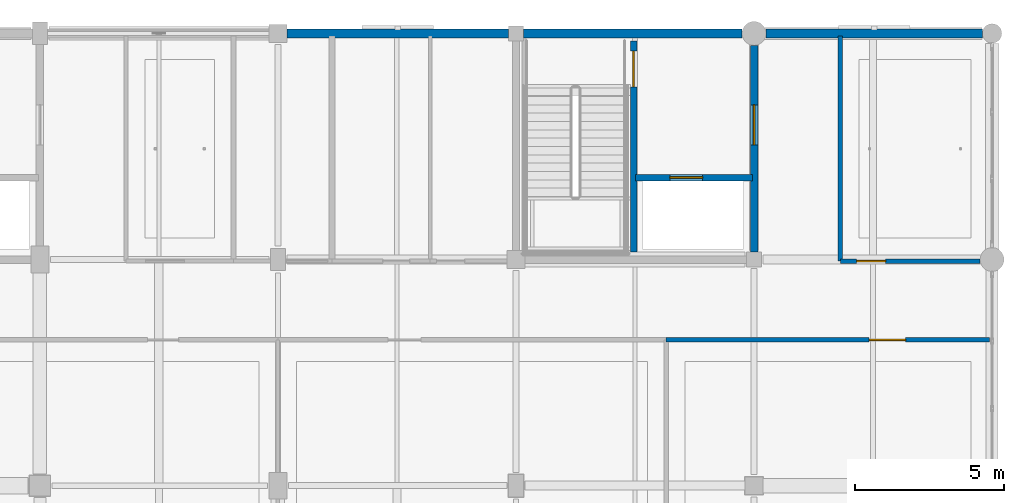
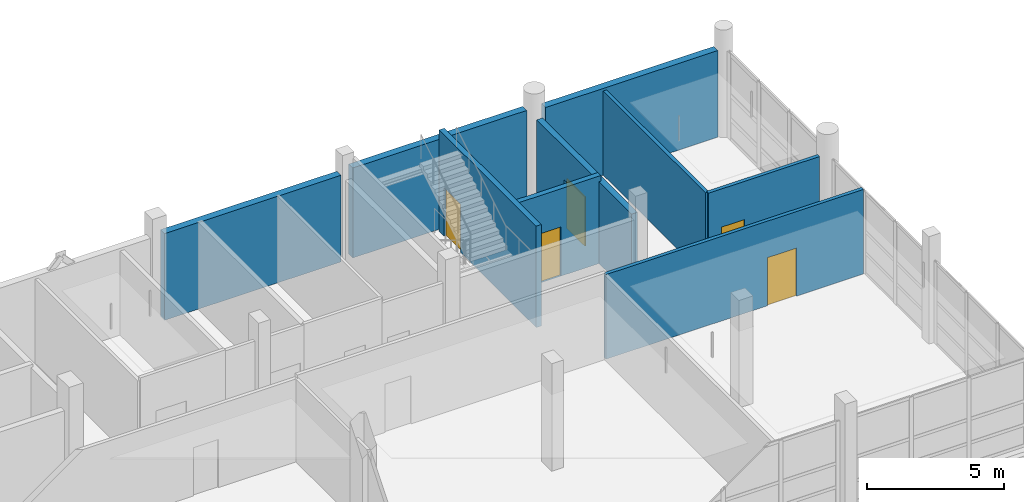
# One storey, part 76 of 107: 9 walls, 5 doors, 5 openings.
"""IFC4 building model written with IfcOpenShell, lengths in metres."""

from ifc_helpers import new_model, si_unit, direction, frame, frame_2d, origin, place, context, subcontext, project, spatial, rectangle, extrude, material, layer, layer_set, type_object, element, fill, save


model = new_model("IFC4")

# Units and contexts
model_context = context("Model", 3, precision=1e-05, world=origin(), true_north=direction((0.0, 1.0)))
body_context = subcontext(model_context, "Body", "Model", "MODEL_VIEW")
ifc_project = project(units=[si_unit("LENGTHUNIT", "METRE"), si_unit("AREAUNIT", "SQUARE_METRE"), si_unit("VOLUMEUNIT", "CUBIC_METRE"), si_unit("PLANEANGLEUNIT", "RADIAN"), si_unit("MASSUNIT", "GRAM", prefix="KILO")], contexts=[model_context])

# Site, building, storey
site_placement = place(None, origin())
site = spatial("IfcSite", under=ifc_project, at=site_placement, CompositionType="ELEMENT")
building_placement = place(site_placement, origin())
building = spatial("IfcBuilding", under=site, at=building_placement, Name="Khelvaren Railside Concert Hall", CompositionType="ELEMENT")
storey_placement = place(building_placement, frame((0.0, 0.0, 15.0)))
storey = spatial("IfcBuildingStorey", under=building, at=storey_placement, Name="L03", CompositionType="ELEMENT", Elevation=15.0)

# Wall, opening, door
ifc_material_1 = material(Name="Concrete C40/50", Category="concrete")
ifc_layer_1 = layer(ifc_material_1, 0.25)
ifc_layer_set_1 = layer_set([ifc_layer_1], Name="Concrete C40/50")
wall_type_1 = type_object("IfcWallType", Name="CW82", PredefinedType="SOLIDWALL", material=ifc_layer_set_1)
wall_1_placement = place(storey_placement, frame((176.0, 106.64990234375, 0.0), z_axis=(0.0, 0.0, 1.0), x_axis=(0.0, 1.0, 0.0)))
wall_1 = element("IfcWall", 1, at=wall_1_placement, inside=storey, type_object=wall_type_1, Name="Core Enclosure Wall CWALL-ST-10-L03-E", PredefinedType="SOLIDWALL", context=body_context, shape_type="SweptSolid", body=[
    extrude(rectangle(XDim=6.9501953125, YDim=0.25, at=frame_2d((3.47509765625, 0.0))), origin(), (0.0, 0.0, 1.0), 3.655029296875),
])
opening_1_placement = place(wall_1_placement, frame((3.60009765625, 0.0, 0.0)))
opening_1 = element("IfcOpeningElement", 2, at=opening_1_placement, cuts=wall_1, Name="Opening FDR34", PredefinedType="OPENING", context=body_context, shape_type="SweptSolid", body=[
    extrude(rectangle(XDim=1.35009765625, YDim=2.199951171875, at=frame_2d((0.675048828125, 1.10009765625))), frame((0.0, 0.135009765625, 0.0), z_axis=(0.0, -1.0, 0.0), x_axis=(1.0, 0.0, 0.0)), (0.0, 0.0, 1.0), 0.27001953125),
])
ifc_material_2 = material(Name="Acoustic fire-rated timber-core steel frame door", Category="steel")
door_type_1 = type_object("IfcDoorType", Name="FDR34", OperationType="NOTDEFINED", PredefinedType="DOOR", material=ifc_material_2)
door_1_placement = place(opening_1_placement, origin())
door_1 = element("IfcDoor", 3, at=door_1_placement, inside=storey, type_object=door_type_1, Name="Interior Door DR-ST-10-L03-LOB", OperationType="SINGLE_SWING_LEFT", OverallHeight=2.199951171875, OverallWidth=1.35009765625, PredefinedType="DOOR", context=body_context, shape_type="SweptSolid", body=[
    extrude(rectangle(XDim=1.35009765625, YDim=2.199951171875, at=frame_2d((0.675048828125, 1.10009765625))), frame((0.0, 0.02490234375, 0.0), z_axis=(0.0, -1.0, 0.0), x_axis=(1.0, 0.0, 0.0)), (0.0, 0.0, 1.0), 0.050048828125),
])
fill(opening_1, door_1)

ifc_layer_2 = layer(ifc_material_1, 0.219970703125)
ifc_layer_set_2 = layer_set([ifc_layer_2], Name="Concrete C40/50")
wall_type_2 = type_object("IfcWallType", Name="CW97", PredefinedType="SOLIDWALL", material=ifc_layer_set_2)
wall_2_placement = place(storey_placement, frame((171.949951171875, 106.64990234375, 0.0), z_axis=(0.0, 0.0, 1.0), x_axis=(0.0, 1.0, 0.0)))
wall_2 = element("IfcWall", 4, at=wall_2_placement, inside=storey, type_object=wall_type_2, Name="Core Enclosure Wall CWALL-ST-10-L03-MID", PredefinedType="SOLIDWALL", context=body_context, shape_type="SweptSolid", body=[
    extrude(rectangle(XDim=7.10009765625, YDim=0.219970703125, at=frame_2d((3.550048828125, 0.0))), origin(), (0.0, 0.0, 1.0), 4.530029296875),
])
opening_2_placement = place(wall_2_placement, frame((5.550048828125, 0.0, 0.0)))
opening_2 = element("IfcOpeningElement", 5, at=opening_2_placement, cuts=wall_2, Name="Opening FDR17", PredefinedType="OPENING", context=body_context, shape_type="SweptSolid", body=[
    extrude(rectangle(XDim=1.199951171875, YDim=2.14990234375, at=frame_2d((0.60009765625, 1.074951171875))), frame((0.0, 0.119873046875, 0.0), z_axis=(0.0, -1.0, 0.0), x_axis=(1.0, 0.0, 0.0)), (0.0, 0.0, 1.0), 0.239990234375),
])
door_type_2 = type_object("IfcDoorType", Name="FDR17", OperationType="NOTDEFINED", PredefinedType="DOOR", material=ifc_material_2)
door_2_placement = place(opening_2_placement, origin())
door_2 = element("IfcDoor", 6, at=door_2_placement, inside=storey, type_object=door_type_2, Name="Interior Door DR-ST-10-L03-ST", OperationType="SINGLE_SWING_RIGHT", OverallHeight=2.14990234375, OverallWidth=1.199951171875, PredefinedType="DOOR", context=body_context, shape_type="SweptSolid", body=[
    extrude(rectangle(XDim=1.199951171875, YDim=2.14990234375, at=frame_2d((0.60009765625, 1.074951171875))), frame((0.0, 0.02490234375, 0.0), z_axis=(0.0, -1.0, 0.0), x_axis=(1.0, 0.0, 0.0)), (0.0, 0.0, 1.0), 0.050048828125),
])
fill(opening_2, door_2)

wall_3_placement = place(storey_placement, frame((172.02001953125, 109.14990234375, 0.0), z_axis=(0.0, 0.0, 1.0), x_axis=(1.0, 0.0, 0.0)))
wall_3 = element("IfcWall", 7, at=wall_3_placement, inside=storey, type_object=wall_type_2, Name="Core Enclosure Wall CWALL-ST-10-L03-SHF", PredefinedType="SOLIDWALL", context=body_context, shape_type="SweptSolid", body=[
    extrude(rectangle(XDim=3.929931640625, YDim=0.219970703125, at=frame_2d((1.96484375, 0.0))), origin(), (0.0, 0.0, 1.0), 3.905029296875),
])
opening_3_placement = place(wall_3_placement, frame((1.14990234375, 0.0, 0.0)))
opening_3 = element("IfcOpeningElement", 8, at=opening_3_placement, cuts=wall_3, Name="Opening LD-FL-01", PredefinedType="OPENING", context=body_context, shape_type="SweptSolid", body=[
    extrude(rectangle(XDim=1.10009765625, YDim=2.199951171875, at=frame_2d((0.550048828125, 1.10009765625))), frame((0.0, 0.119873046875, 0.0), z_axis=(0.0, -1.0, 0.0), x_axis=(1.0, 0.0, 0.0)), (0.0, 0.0, 1.0), 0.239990234375),
])
ifc_material_3 = material(Name="Fire-rated brushed stainless steel landing door", Category="steel")
door_type_3 = type_object("IfcDoorType", Name="LD96", OperationType="DOUBLE_DOOR_SLIDING", PredefinedType="DOOR", material=ifc_material_3)
door_3_placement = place(opening_3_placement, origin())
door_3 = element("IfcDoor", 9, at=door_3_placement, inside=storey, type_object=door_type_3, Name="Lift Landing Door LD-FL-01-L03", OperationType="DOUBLE_DOOR_SLIDING", OverallHeight=2.199951171875, OverallWidth=1.10009765625, PredefinedType="DOOR", context=body_context, shape_type="SweptSolid", body=[
    extrude(rectangle(XDim=1.10009765625, YDim=2.199951171875, at=frame_2d((0.550048828125, 1.10009765625))), frame((0.0, 0.02490234375, 0.0), z_axis=(0.0, -1.0, 0.0), x_axis=(1.0, 0.0, 0.0)), (0.0, 0.0, 1.0), 0.050048828125),
])
fill(opening_3, door_3)

# Walls
ifc_material_4 = material(Name="Board-marked architectural concrete C40/50", Category="concrete")
ifc_layer_3 = layer(ifc_material_4, 0.300048828125)
ifc_layer_set_3 = layer_set([ifc_layer_3], Name="Board-marked architectural concrete C40/50")
wall_type_3 = type_object("IfcWallType", Name="EW54", PredefinedType="SOLIDWALL", material=ifc_layer_set_3)
wall_4_placement = place(storey_placement, frame((160.300048828125, 114.0, 0.0), z_axis=(0.0, 0.0, 1.0), x_axis=(1.0, 0.0, 0.0)))
element("IfcWall", 10, at=wall_4_placement, inside=storey, type_object=wall_type_3, Name="V5 L03 Exterior Concrete Wall N-160", PredefinedType="SOLIDWALL", context=body_context, shape_type="SweptSolid", body=[
    extrude(rectangle(XDim=7.449951171875, YDim=0.300048828125, at=frame_2d((3.72509765625, 0.0))), origin(), (0.0, 0.0, 1.0), 3.8701171875),
])
wall_5_placement = place(storey_placement, frame((168.25, 114.0, 0.0), z_axis=(0.0, 0.0, 1.0), x_axis=(1.0, 0.0, 0.0)))
element("IfcWall", 11, at=wall_5_placement, inside=storey, type_object=wall_type_3, Name="V5 L03 Exterior Concrete Wall N-168", PredefinedType="SOLIDWALL", context=body_context, shape_type="SweptSolid", body=[
    extrude(rectangle(XDim=7.35009765625, YDim=0.300048828125, at=frame_2d((3.675048828125, 0.0))), origin(), (0.0, 0.0, 1.0), 4.02001953125),
])
wall_6_placement = place(storey_placement, frame((176.39990234375, 114.0, 0.0), z_axis=(0.0, 0.0, 1.0), x_axis=(1.0, 0.0, 0.0)))
element("IfcWall", 12, at=wall_6_placement, inside=storey, type_object=wall_type_3, Name="V5 L03 Exterior Concrete Wall N-176", PredefinedType="SOLIDWALL", context=body_context, shape_type="SweptSolid", body=[
    extrude(rectangle(XDim=7.275146484375, YDim=0.300048828125, at=frame_2d((3.6376953125, 0.0))), origin(), (0.0, 0.0, 1.0), 3.8701171875),
])

# Wall, opening, door
ifc_material_5 = material(Name="Acoustic double-stud gypsum partition", Category="gypsum")
ifc_layer_4 = layer(ifc_material_5, 0.14990234375)
ifc_layer_set_4 = layer_set([ifc_layer_4], Name="Acoustic double-stud gypsum partition")
wall_type_4 = type_object("IfcWallType", Name="PT72", PredefinedType="PARTITIONING", material=ifc_layer_set_4)
wall_7_placement = place(storey_placement, frame((173.047119140625, 103.699951171875, 0.0), z_axis=(0.0, 0.0, 1.0), x_axis=(1.0, 0.0, 0.0)))
wall_7 = element("IfcWall", 13, at=wall_7_placement, inside=storey, type_object=wall_type_4, Name="Acoustic Partition Wall PW-V5-L03-S-C04", PredefinedType="PARTITIONING", context=body_context, shape_type="SweptSolid", body=[
    extrude(rectangle(XDim=10.872802734375, YDim=0.14990234375, at=frame_2d((5.4365234375, 0.0))), origin(), (0.0, 0.0, 1.0), 3.780029296875),
])
opening_4_placement = place(wall_7_placement, frame((6.822998046875, 0.0, 0.0)))
opening_4 = element("IfcOpeningElement", 14, at=opening_4_placement, cuts=wall_7, Name="Opening IDR44", PredefinedType="OPENING", context=body_context, shape_type="SweptSolid", body=[
    extrude(rectangle(XDim=1.219970703125, YDim=2.14990234375, at=frame_2d((0.60986328125, 1.074951171875))), frame((0.0, 0.0849609375, 0.0), z_axis=(0.0, -1.0, 0.0), x_axis=(1.0, 0.0, 0.0)), (0.0, 0.0, 1.0), 0.169921875),
])
ifc_material_6 = material(Name="Solid oak acoustic studio door", Category="wood")
door_type_4 = type_object("IfcDoorType", Name="IDR44", OperationType="NOTDEFINED", PredefinedType="DOOR", material=ifc_material_6)
door_4_placement = place(opening_4_placement, origin())
door_4 = element("IfcDoor", 15, at=door_4_placement, inside=storey, type_object=door_type_4, Name="Interior Door DR-V5-L03-S-04", OperationType="SINGLE_SWING_LEFT", OverallHeight=2.14990234375, OverallWidth=1.219970703125, PredefinedType="DOOR", context=body_context, shape_type="SweptSolid", body=[
    extrude(rectangle(XDim=1.219970703125, YDim=2.14990234375, at=frame_2d((0.60986328125, 1.074951171875))), frame((0.0, 0.02490234375, 0.0), z_axis=(0.0, -1.0, 0.0), x_axis=(1.0, 0.0, 0.0)), (0.0, 0.0, 1.0), 0.050048828125),
])
fill(opening_4, door_4)

wall_8_placement = place(storey_placement, frame((178.89990234375, 106.35009765625, 0.0), z_axis=(0.0, 0.0, 1.0), x_axis=(1.0, 0.0, 0.0)))
wall_8 = element("IfcWall", 16, at=wall_8_placement, inside=storey, type_object=wall_type_4, Name="Acoustic Partition Wall PW-V5-L03-NE-C01", PredefinedType="PARTITIONING", context=body_context, shape_type="SweptSolid", body=[
    extrude(rectangle(XDim=4.7001953125, YDim=0.14990234375, at=frame_2d((2.35009765625, 0.0))), origin(), (0.0, 0.0, 1.0), 3.7548828125),
])
opening_5_placement = place(wall_8_placement, frame((0.5458984375, 0.0, 0.0)))
opening_5 = element("IfcOpeningElement", 17, at=opening_5_placement, cuts=wall_8, Name="Opening IDR23", PredefinedType="OPENING", context=body_context, shape_type="SweptSolid", body=[
    extrude(rectangle(XDim=0.97998046875, YDim=2.050048828125, at=frame_2d((0.489990234375, 1.02490234375))), frame((0.0, 0.0849609375, 0.0), z_axis=(0.0, -1.0, 0.0), x_axis=(1.0, 0.0, 0.0)), (0.0, 0.0, 1.0), 0.169921875),
])
door_type_5 = type_object("IfcDoorType", Name="IDR23", OperationType="NOTDEFINED", PredefinedType="DOOR", material=ifc_material_6)
door_5_placement = place(opening_5_placement, origin())
door_5 = element("IfcDoor", 18, at=door_5_placement, inside=storey, type_object=door_type_5, Name="Interior Door DR-V5-L03-NE-01", OperationType="SINGLE_SWING_LEFT", OverallHeight=2.050048828125, OverallWidth=0.97998046875, PredefinedType="DOOR", context=body_context, shape_type="SweptSolid", body=[
    extrude(rectangle(XDim=0.97998046875, YDim=2.050048828125, at=frame_2d((0.489990234375, 1.02490234375))), frame((0.0, 0.02490234375, 0.0), z_axis=(0.0, -1.0, 0.0), x_axis=(1.0, 0.0, 0.0)), (0.0, 0.0, 1.0), 0.050048828125),
])
fill(opening_5, door_5)

# Wall
wall_9_placement = place(storey_placement, frame((178.89990234375, 106.35009765625, 0.0), z_axis=(0.0, 0.0, 1.0), x_axis=(0.0, 1.0, 0.0)))
element("IfcWall", 19, at=wall_9_placement, inside=storey, type_object=wall_type_4, Name="Acoustic Partition Wall PW-V5-L03-NE-W0", PredefinedType="PARTITIONING", context=body_context, shape_type="SweptSolid", body=[
    extrude(rectangle(XDim=7.56982421875, YDim=0.14990234375, at=frame_2d((3.784912109375, 0.0))), origin(), (0.0, 0.0, 1.0), 3.7548828125),
])

save(model, "model.ifc")
